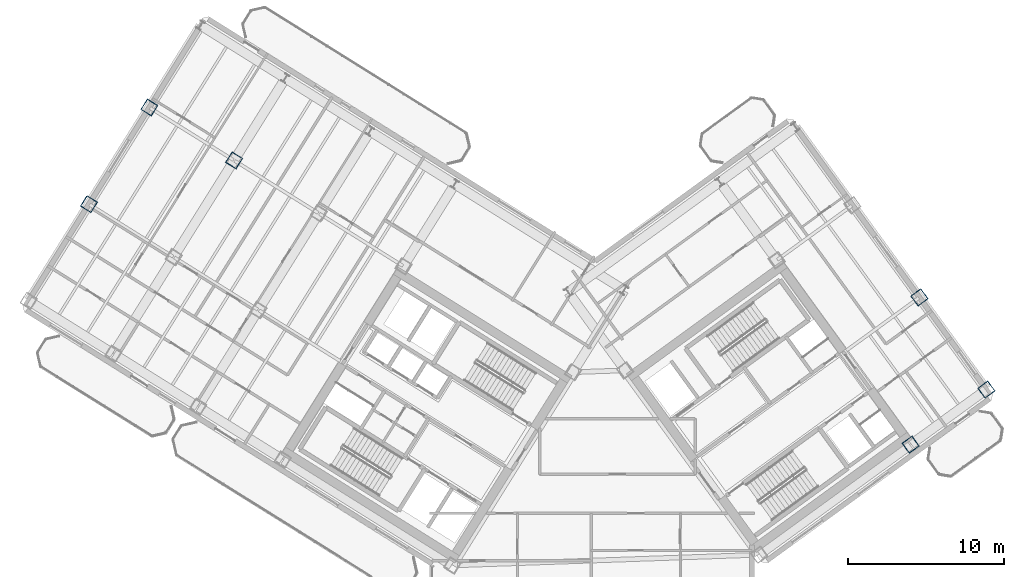
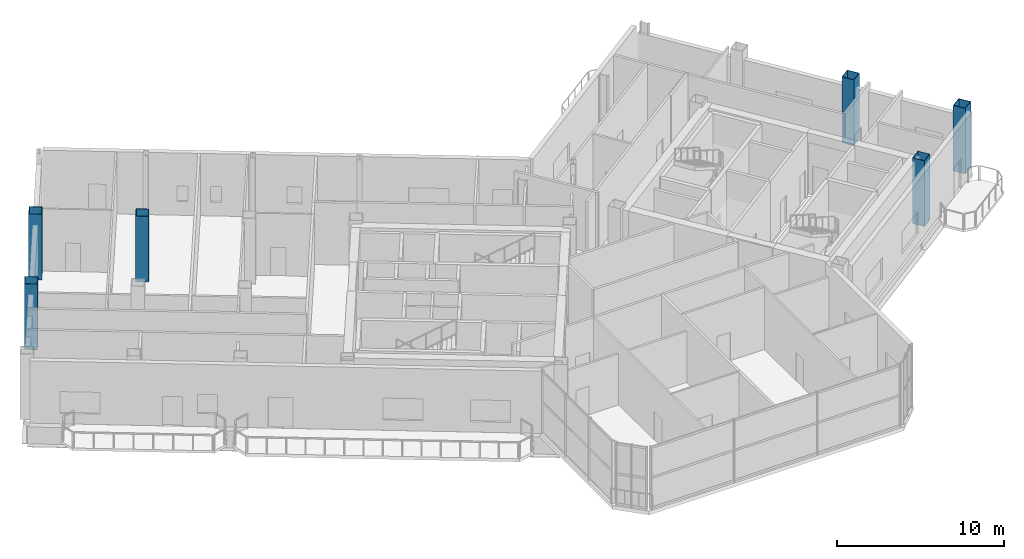
# One storey, part 2 of 21: 6 columns.
"""IFC4 building model written with IfcOpenShell, lengths in metres."""

from ifc_helpers import new_model, si_unit, direction, frame, origin, origin_2d, place, context, subcontext, project, spatial, hollow_rectangle, extrude, source, transform, mapped, material, material_profile, profile_set, type_object, element, save


model = new_model("IFC4")

# Units and contexts
model_context = context("Model", 3, precision=1e-05, world=origin(), true_north=direction((0.0, 1.0)))
body_context = subcontext(model_context, "Body", "Model", "MODEL_VIEW")
ifc_project = project(units=[si_unit("LENGTHUNIT", "METRE"), si_unit("AREAUNIT", "SQUARE_METRE"), si_unit("VOLUMEUNIT", "CUBIC_METRE"), si_unit("PLANEANGLEUNIT", "RADIAN"), si_unit("MASSUNIT", "GRAM", prefix="KILO")], contexts=[model_context])

# Site, building, storey
site_placement = place(None, origin())
site = spatial("IfcSite", under=ifc_project, at=site_placement, CompositionType="ELEMENT")
building_placement = place(site_placement, origin())
building = spatial("IfcBuilding", under=site, at=building_placement, Name="Tlacorven Tower", CompositionType="ELEMENT")
storey_placement = place(building_placement, frame((0.0, 0.0, 179.39990234375)))
storey = spatial("IfcBuildingStorey", under=building, at=storey_placement, Name="L45", CompositionType="ELEMENT", Elevation=179.39990234375)

# Columns
ifc_material = material(Name="Steel S460M", Category="steel")
ifc_material_profile = material_profile(ifc_material, hollow_rectangle(XDim=0.800048828125, YDim=0.800048828125, WallThickness=0.031982421875, at=origin_2d()), Name="BOX 800X800X32")
ifc_profile_set = profile_set([ifc_material_profile], Name="Steel S460M")
column_type = type_object("IfcColumnType", Name="COL-TWR-S3", PredefinedType="COLUMN", material=ifc_profile_set)
shared_shape = source(origin(), body_context, "Body", "SweptSolid", [
    extrude(hollow_rectangle(XDim=0.800048828125, YDim=0.800048828125, WallThickness=0.031982421875, at=origin_2d()), origin(), (0.0, 0.0, 1.0), 4.800048828125),
])
for number, where, z_axis, x_axis, name in (
    (1, (19.072998046875, 38.034423828125, 0.0), (0.0, 0.0, 1.0), (-0.848048096156, 0.529919264233, 0.0), "L45 column COL-L45-W5-2"),
    (2, (13.6455078125, 41.42578125, 0.0), (0.0, 0.0, 1.0), (-0.848048096156, 0.529919264233, 0.0), "L45 column COL-L45-W6-2"),
    (3, (9.777099609375, 35.235107421875, 0.0), (0.0, 0.0, 1.0), (-0.848048096156, 0.529919264233, 0.0), "L45 column COL-L45-W6-3"),
    (4, (62.41357421875, 19.826904296875, 0.0), (0.0, 0.0, 1.0), (0.809016994375, 0.587785252292, 0.0), "L45 column COL-L45-E3-1"),
    (5, (67.267822265625, 23.353515625, 0.0), (0.0, 0.0, 1.0), (0.809016994375, 0.587785252292, 0.0), "L45 column COL-L45-E4-1"),
    (6, (62.976806640625, 29.25927734375, 0.0), (0.0, 0.0, 1.0), (0.809016994375, 0.587785252292, 0.0), "L45 column COL-L45-E4-2"),
):
    element("IfcColumn", number, at=place(storey_placement, frame(where, z_axis=z_axis, x_axis=x_axis)), inside=storey, type_object=column_type, Name=name, PredefinedType="COLUMN", context=body_context, shape_type="MappedRepresentation", body=[
        mapped(shared_shape, transform((0.0, 0.0, 0.0), scale=1.0)),
    ])

save(model, "model.ifc")
